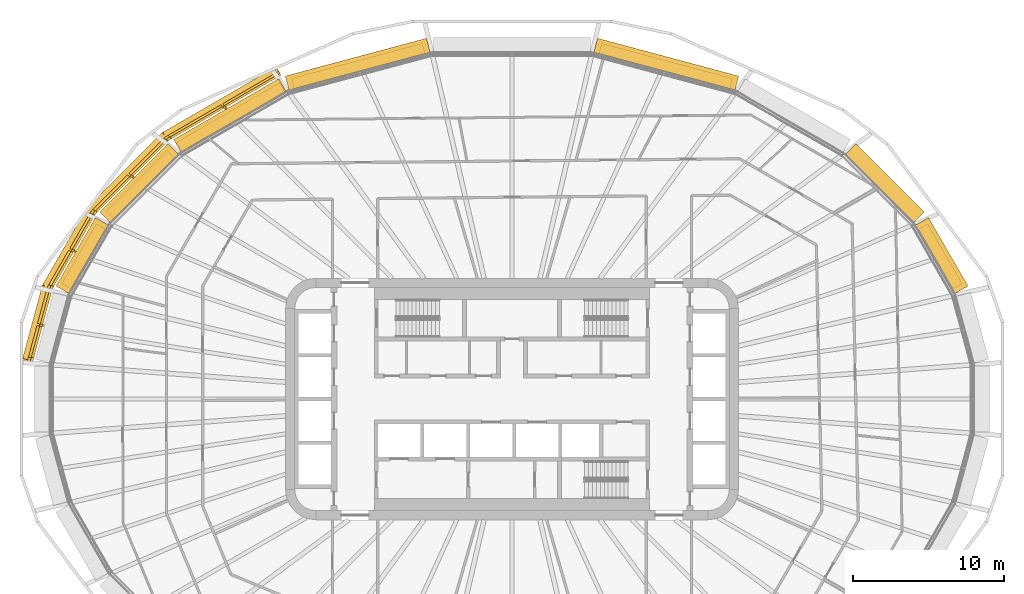
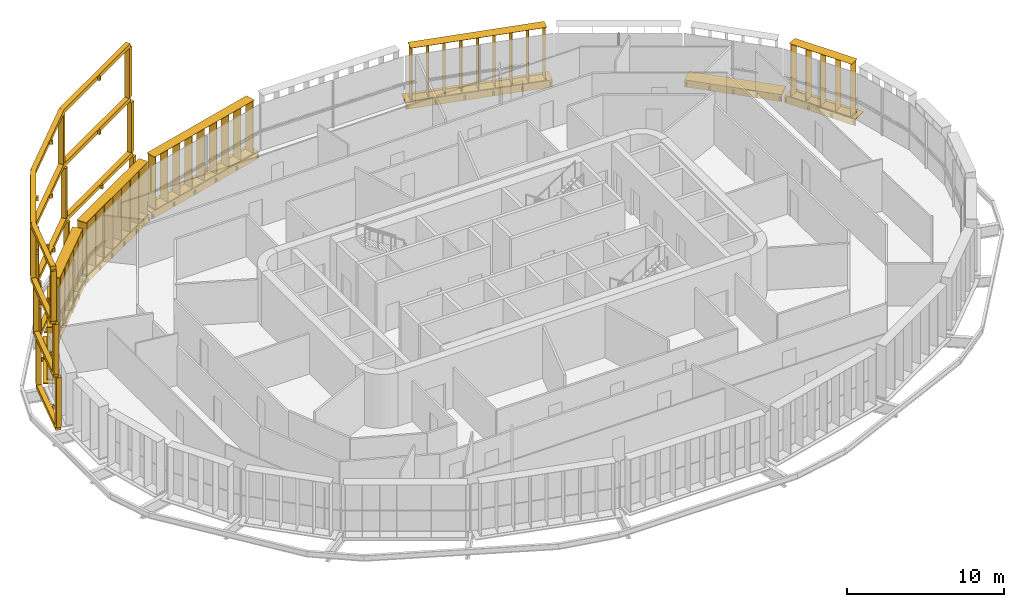
# One storey, part 23 of 24: 14 shading devices.
"""IFC4 building model written with IfcOpenShell, lengths in metres."""

from ifc_helpers import new_model, si_unit, direction, frame, origin, origin_2d, place, context, subcontext, project, spatial, polyline, rectangle, outline, extrude, material, type_object, element, save


model = new_model("IFC4")

# Units and contexts
model_context = context("Model", 3, precision=1e-05, world=origin(), true_north=direction((0.0, 1.0)))
body_context = subcontext(model_context, "Body", "Model", "MODEL_VIEW")
ifc_project = project(units=[si_unit("LENGTHUNIT", "METRE"), si_unit("AREAUNIT", "SQUARE_METRE"), si_unit("VOLUMEUNIT", "CUBIC_METRE"), si_unit("PLANEANGLEUNIT", "RADIAN"), si_unit("MASSUNIT", "GRAM", prefix="KILO")], contexts=[model_context])

# Site, building, storey
site_placement = place(None, origin())
site = spatial("IfcSite", under=ifc_project, at=site_placement, CompositionType="ELEMENT")
building_placement = place(site_placement, origin())
building = spatial("IfcBuilding", under=site, at=building_placement, Name="Sahrelin Media Tower", CompositionType="ELEMENT")
storey_placement = place(building_placement, frame((0.0, 0.0, 58.800048828125)))
storey = spatial("IfcBuildingStorey", under=building, at=storey_placement, Name="L09", CompositionType="ELEMENT", Elevation=58.800048828125)

# Shading devices
ifc_material_1 = material(Name="Dark bronze anodised aluminium 6063-T6", Category="aluminium")
shading_device_type_1 = type_object("IfcShadingDeviceType", Name="Deep frame", PredefinedType="USERDEFINED", material=ifc_material_1)
shading_device_1_placement = place(storey_placement, frame((-14.858642578125, 20.38623046875, 0.0), z_axis=(0.0, 0.0, 1.0), x_axis=(0.866019052629, 0.500011000363, 0.0)))
element("IfcShadingDevice", 1, at=shading_device_1_placement, inside=storey, type_object=shading_device_type_1, Name="L09:FRAME:F1-3", ObjectType="FRAME", PredefinedType="USERDEFINED", context=body_context, shape_type="SweptSolid", body=[
    extrude(rectangle(XDim=0.300048828125, YDim=0.35009765625, at=origin_2d()), frame((0.0, 1.324951171875, 0.14990234375), z_axis=(0.0, 0.0, 1.0), x_axis=(-1.0, 0.0, 0.0)), (0.0, 0.0, 1.0), 3.900146484375),
    extrude(rectangle(XDim=0.300048828125, YDim=0.35009765625, at=origin_2d()), frame((-8.414794921875, 1.313720703125, 0.14990234375), z_axis=(0.0, 0.0, 1.0), x_axis=(-0.991436202368, -0.130591947046, 0.0)), (0.0, 0.0, 1.0), 3.900146484375),
    extrude(rectangle(XDim=0.300048828125, YDim=0.35009765625, at=origin_2d()), frame((-15.12939453125, -0.485595703125, 0.14990234375), z_axis=(0.0, 0.0, 1.0), x_axis=(-0.923876860854, -0.382689882252, 0.0)), (0.0, 0.0, 1.0), 3.900146484375),
    extrude(rectangle(XDim=0.300048828125, YDim=0.35009765625, at=origin_2d()), frame((-20.133544921875, -3.37451171875, 0.14990234375), z_axis=(0.0, 0.0, 1.0), x_axis=(-0.793400087474, -0.608700502051, 0.0)), (0.0, 0.0, 1.0), 3.900146484375),
    extrude(rectangle(XDim=0.300048828125, YDim=0.35009765625, at=origin_2d()), frame((-23.637939453125, -6.863037109375, 0.14990234375), z_axis=(0.0, 0.0, 1.0), x_axis=(-0.707106781187, -0.707106781187, 0.0)), (0.0, 0.0, 1.0), 3.900146484375),
    extrude(outline(polyline([(-21.7529296875, -5.47998046875), (-21.646728515625, -5.373779296875), (-21.77001953125, -5.25048828125), (-20.026123046875, -3.5146484375), (-17.60888671875, -2.119140625), (-17.524658203125, -2.26513671875), (-17.394775390625, -2.190185546875), (-17.47900390625, -2.044189453125), (-15.06201171875, -0.648681640625), (-11.79931640625, 0.2255859375), (-11.755615234375, 0.062744140625), (-11.610595703125, 0.1015625), (-11.654296875, 0.264404296875), (-8.3916015625, 1.138671875), (-4.19580078125, 1.144287109375), (-4.19580078125, 0.969970703125), (-4.0458984375, 0.969970703125), (-4.0458984375, 1.14453125), (0.000244140625, 1.14990234375), (-0.000244140625, 1.5), (-8.4150390625, 1.48876953125), (-8.414794921875, 1.313720703125), (-8.4599609375, 1.482666015625), (-15.1748046875, -0.31640625), (-15.12939453125, -0.485595703125), (-15.216796875, -0.333984375), (-20.220947265625, -3.222900390625), (-20.133544921875, -3.37451171875), (-20.257080078125, -3.25048828125), (-23.761474609375, -6.739013671875), (-23.514404296875, -6.987060546875), (-21.87646484375, -5.3564453125), (-21.7529296875, -5.47998046875)])), frame((0.0, 0.0, -0.14990234375)), (0.0, 0.0, 1.0), 0.2998046875),
    extrude(rectangle(XDim=0.300048828125, YDim=0.35009765625, at=origin_2d()), frame((-0.01171875, 1.46826171875, 4.35009765625), z_axis=(0.0, 0.0, 1.0), x_axis=(-1.0, 0.0, 0.0)), (0.0, 0.0, 1.0), 3.89990234375),
    extrude(rectangle(XDim=0.300048828125, YDim=0.35009765625, at=origin_2d()), frame((-8.472900390625, 1.456787109375, 4.35009765625), z_axis=(0.0, 0.0, 1.0), x_axis=(-0.991447594891, -0.130505427419, 0.0)), (0.0, 0.0, 1.0), 3.89990234375),
    extrude(rectangle(XDim=0.300048828125, YDim=0.35009765625, at=origin_2d()), frame((-15.22412109375, -0.35205078125, 4.35009765625), z_axis=(0.0, 0.0, 1.0), x_axis=(-0.923912256654, -0.382604419741, 0.0)), (0.0, 0.0, 1.0), 3.89990234375),
    extrude(rectangle(XDim=0.300048828125, YDim=0.35009765625, at=origin_2d()), frame((-20.255615234375, -3.257080078125, 4.35009765625), z_axis=(0.0, 0.0, 1.0), x_axis=(-0.793352277801, -0.608762813671, 0.0)), (0.0, 0.0, 1.0), 3.89990234375),
    extrude(rectangle(XDim=0.300048828125, YDim=0.35009765625, at=origin_2d()), frame((-23.780029296875, -6.765380859375, 4.35009765625), z_axis=(0.0, 0.0, 1.0), x_axis=(-0.707106781187, -0.707106781187, 0.0)), (0.0, 0.0, 1.0), 3.89990234375),
    extrude(outline(polyline([(-21.885009765625, -5.372314453125), (-21.779052734375, -5.266357421875), (-21.90234375, -5.14306640625), (-20.1484375, -3.397216796875), (-17.71728515625, -1.99365234375), (-17.633056640625, -2.1396484375), (-17.503173828125, -2.064697265625), (-17.58740234375, -1.918701171875), (-15.156494140625, -0.51513671875), (-11.875732421875, 0.364013671875), (-11.83203125, 0.201171875), (-11.68701171875, 0.239990234375), (-11.730712890625, 0.40283203125), (-8.44970703125, 1.281982421875), (-4.230712890625, 1.28759765625), (-4.230712890625, 1.11328125), (-4.080810546875, 1.11328125), (-4.080810546875, 1.287841796875), (-0.011474609375, 1.293212890625), (-0.011962890625, 1.643310546875), (-8.47314453125, 1.6318359375), (-8.472900390625, 1.456787109375), (-8.518310546875, 1.6259765625), (-15.26953125, -0.18310546875), (-15.22412109375, -0.35205078125), (-15.311767578125, -0.200439453125), (-20.34326171875, -3.10546875), (-20.255615234375, -3.257080078125), (-20.379150390625, -3.133056640625), (-23.903564453125, -6.641357421875), (-23.656494140625, -6.889404296875), (-22.008544921875, -5.248779296875), (-21.885009765625, -5.372314453125)])), frame((0.0, 0.0, 4.050048828125)), (0.0, 0.0, 1.0), 0.300048828125),
    extrude(rectangle(XDim=0.300048828125, YDim=0.35009765625, at=origin_2d()), frame((-0.024658203125, 1.626220703125, 8.550048828125), z_axis=(0.0, 0.0, 1.0), x_axis=(-1.0, 0.0, 0.0)), (0.0, 0.0, 1.0), 3.89990234375),
    extrude(rectangle(XDim=0.300048828125, YDim=0.35009765625, at=origin_2d()), frame((-8.536865234375, 1.61474609375, 8.550048828125), z_axis=(0.0, 0.0, 1.0), x_axis=(-0.991449189241, -0.130493314592, 0.0)), (0.0, 0.0, 1.0), 3.89990234375),
    extrude(rectangle(XDim=0.300048828125, YDim=0.35009765625, at=origin_2d()), frame((-15.32861328125, -0.205078125, 8.550048828125), z_axis=(0.0, 0.0, 1.0), x_axis=(-0.923862165937, -0.382725356294, 0.0)), (0.0, 0.0, 1.0), 3.89990234375),
    extrude(rectangle(XDim=0.300048828125, YDim=0.35009765625, at=origin_2d()), frame((-20.390380859375, -3.12744140625, 8.550048828125), z_axis=(0.0, 0.0, 1.0), x_axis=(-0.793352277801, -0.608762813671, 0.0)), (0.0, 0.0, 1.0), 3.89990234375),
    extrude(rectangle(XDim=0.300048828125, YDim=0.35009765625, at=origin_2d()), frame((-23.936767578125, -6.65771484375, 8.550048828125), z_axis=(0.0, 0.0, 1.0), x_axis=(-0.707106781187, -0.707106781187, 0.0)), (0.0, 0.0, 1.0), 3.89990234375),
    extrude(outline(polyline([(-22.03076171875, -5.25390625), (-21.9248046875, -5.147705078125), (-22.048095703125, -5.0244140625), (-20.283203125, -3.267578125), (-17.8369140625, -1.855224609375), (-17.752685546875, -2.00146484375), (-17.622802734375, -1.926513671875), (-17.70703125, -1.7802734375), (-15.260986328125, -0.3681640625), (-11.9599609375, 0.516357421875), (-11.916259765625, 0.353515625), (-11.771484375, 0.392333984375), (-11.815185546875, 0.555419921875), (-8.513916015625, 1.439697265625), (-4.269287109375, 1.445556640625), (-4.269287109375, 1.271240234375), (-4.119384765625, 1.271240234375), (-4.119384765625, 1.44580078125), (-0.0244140625, 1.451171875), (-0.02490234375, 1.80126953125), (-8.537109375, 1.789794921875), (-8.536865234375, 1.61474609375), (-8.582275390625, 1.78369140625), (-15.3740234375, -0.035888671875), (-15.32861328125, -0.205078125), (-15.416259765625, -0.053466796875), (-20.47802734375, -2.975830078125), (-20.390380859375, -3.12744140625), (-20.513916015625, -3.00341796875), (-24.060302734375, -6.53369140625), (-23.813232421875, -6.78173828125), (-22.154296875, -5.130126953125), (-22.03076171875, -5.25390625)])), frame((0.0, 0.0, 8.25)), (0.0, 0.0, 1.0), 0.300048828125),
    extrude(outline(polyline([(-22.03076171875, -5.25390625), (-21.9248046875, -5.147705078125), (-22.048095703125, -5.0244140625), (-20.283203125, -3.267578125), (-17.8369140625, -1.855224609375), (-17.752685546875, -2.00146484375), (-17.622802734375, -1.926513671875), (-17.70703125, -1.7802734375), (-15.260986328125, -0.3681640625), (-11.9599609375, 0.516357421875), (-11.916259765625, 0.353515625), (-11.771484375, 0.392333984375), (-11.815185546875, 0.555419921875), (-8.513916015625, 1.439697265625), (-4.269287109375, 1.445556640625), (-4.269287109375, 1.271240234375), (-4.119384765625, 1.271240234375), (-4.119384765625, 1.44580078125), (-0.0244140625, 1.451171875), (-0.02490234375, 1.80126953125), (-8.537109375, 1.789794921875), (-8.536865234375, 1.61474609375), (-8.582275390625, 1.78369140625), (-15.3740234375, -0.035888671875), (-15.32861328125, -0.205078125), (-15.416259765625, -0.053466796875), (-20.47802734375, -2.975830078125), (-20.390380859375, -3.12744140625), (-20.513916015625, -3.00341796875), (-24.060302734375, -6.53369140625), (-23.813232421875, -6.78173828125), (-22.154296875, -5.130126953125), (-22.03076171875, -5.25390625)])), frame((0.0, 0.0, 12.449951171875)), (0.0, 0.0, 1.0), 0.300048828125),
])
ifc_material_2 = material(Name="Champagne anodised aluminium 6063-T6", Category="aluminium")
shading_device_type_2 = type_object("IfcShadingDeviceType", Name="Fin cassette", PredefinedType="USERDEFINED", material=ifc_material_2)
placement_1 = place(storey_placement, frame((28.025390625, 9.2421875, 0.0), z_axis=(0.0, 0.0, 1.0), x_axis=(0.500011000363, -0.866019052629, 0.0)))
element("IfcShadingDevice", 2, at=placement_1, inside=storey, type_object=shading_device_type_2, Name="L09:FIN:L09-02", ObjectType="FIN", PredefinedType="USERDEFINED", context=body_context, shape_type="SweptSolid", body=[
    extrude(rectangle(XDim=4.60009765625, YDim=0.699951171875, at=origin_2d()), frame((0.0, 0.419921875, 0.0)), (0.0, 0.0, 1.0), 0.02001953125),
    extrude(rectangle(XDim=4.60009765625, YDim=0.699951171875, at=origin_2d()), frame((0.0, 0.419921875, 4.10009765625)), (0.0, 0.0, 1.0), 0.02001953125),
    extrude(rectangle(XDim=0.02001953125, YDim=0.699951171875, at=origin_2d()), frame((-2.199951171875, 0.419921875, 0.010009765625), z_axis=(0.0, 0.0, 1.0), x_axis=(1.0, 0.0, 0.0)), (0.0, 0.0, 1.0), 4.10009765625),
    extrude(rectangle(XDim=0.02001953125, YDim=0.699951171875, at=origin_2d()), frame((-1.10009765625, 0.419921875, 0.010009765625), z_axis=(0.0, 0.0, 1.0), x_axis=(1.0, 0.0, 0.0)), (0.0, 0.0, 1.0), 4.10009765625),
    extrude(rectangle(XDim=0.02001953125, YDim=0.699951171875, at=origin_2d()), frame((0.0, 0.419921875, 0.010009765625), z_axis=(0.0, 0.0, 1.0), x_axis=(1.0, 0.0, 0.0)), (0.0, 0.0, 1.0), 4.10009765625),
    extrude(rectangle(XDim=0.02001953125, YDim=0.699951171875, at=origin_2d()), frame((1.10009765625, 0.419921875, 0.010009765625), z_axis=(0.0, 0.0, 1.0), x_axis=(1.0, 0.0, 0.0)), (0.0, 0.0, 1.0), 4.10009765625),
    extrude(rectangle(XDim=0.02001953125, YDim=0.699951171875, at=origin_2d()), frame((2.199951171875, 0.419921875, 0.010009765625), z_axis=(0.0, 0.0, 1.0), x_axis=(1.0, 0.0, 0.0)), (0.0, 0.0, 1.0), 4.10009765625),
])
placement_2 = place(storey_placement, frame((10.083984375, 21.665771484375, 0.0), z_axis=(0.0, 0.0, 1.0), x_axis=(0.965928857556, -0.258807731996, 0.0)))
element("IfcShadingDevice", 3, at=placement_2, inside=storey, type_object=shading_device_type_2, Name="L09:FIN:L09-05", ObjectType="FIN", PredefinedType="USERDEFINED", context=body_context, shape_type="SweptSolid", body=[
    extrude(rectangle(XDim=9.0, YDim=0.699951171875, at=origin_2d()), frame((0.0, 0.419921875, 0.0)), (0.0, 0.0, 1.0), 0.02001953125),
    extrude(rectangle(XDim=9.0, YDim=0.699951171875, at=origin_2d()), frame((0.0, 0.419921875, 4.10009765625)), (0.0, 0.0, 1.0), 0.02001953125),
    extrude(rectangle(XDim=0.02001953125, YDim=0.699951171875, at=origin_2d()), frame((-4.39990234375, 0.419921875, 0.010009765625), z_axis=(0.0, 0.0, 1.0), x_axis=(1.0, 0.0, 0.0)), (0.0, 0.0, 1.0), 4.10009765625),
    extrude(rectangle(XDim=0.02001953125, YDim=0.699951171875, at=origin_2d()), frame((-3.300048828125, 0.419921875, 0.010009765625), z_axis=(0.0, 0.0, 1.0), x_axis=(1.0, 0.0, 0.0)), (0.0, 0.0, 1.0), 4.10009765625),
    extrude(rectangle(XDim=0.02001953125, YDim=0.699951171875, at=origin_2d()), frame((-2.199951171875, 0.419921875, 0.010009765625), z_axis=(0.0, 0.0, 1.0), x_axis=(1.0, 0.0, 0.0)), (0.0, 0.0, 1.0), 4.10009765625),
    extrude(rectangle(XDim=0.02001953125, YDim=0.699951171875, at=origin_2d()), frame((-1.10009765625, 0.419921875, 0.010009765625), z_axis=(0.0, 0.0, 1.0), x_axis=(1.0, 0.0, 0.0)), (0.0, 0.0, 1.0), 4.10009765625),
    extrude(rectangle(XDim=0.02001953125, YDim=0.699951171875, at=origin_2d()), frame((0.0, 0.419921875, 0.010009765625), z_axis=(0.0, 0.0, 1.0), x_axis=(1.0, 0.0, 0.0)), (0.0, 0.0, 1.0), 4.10009765625),
    extrude(rectangle(XDim=0.02001953125, YDim=0.699951171875, at=origin_2d()), frame((1.10009765625, 0.419921875, 0.010009765625), z_axis=(0.0, 0.0, 1.0), x_axis=(1.0, 0.0, 0.0)), (0.0, 0.0, 1.0), 4.10009765625),
    extrude(rectangle(XDim=0.02001953125, YDim=0.699951171875, at=origin_2d()), frame((2.199951171875, 0.419921875, 0.010009765625), z_axis=(0.0, 0.0, 1.0), x_axis=(1.0, 0.0, 0.0)), (0.0, 0.0, 1.0), 4.10009765625),
    extrude(rectangle(XDim=0.02001953125, YDim=0.699951171875, at=origin_2d()), frame((3.300048828125, 0.419921875, 0.010009765625), z_axis=(0.0, 0.0, 1.0), x_axis=(1.0, 0.0, 0.0)), (0.0, 0.0, 1.0), 4.10009765625),
    extrude(rectangle(XDim=0.02001953125, YDim=0.699951171875, at=origin_2d()), frame((4.39990234375, 0.419921875, 0.010009765625), z_axis=(0.0, 0.0, 1.0), x_axis=(1.0, 0.0, 0.0)), (0.0, 0.0, 1.0), 4.10009765625),
])
placement_3 = place(storey_placement, frame((-10.083984375, 21.665771484375, 0.0), z_axis=(0.0, 0.0, 1.0), x_axis=(0.965928857556, 0.258807731996, 0.0)))
element("IfcShadingDevice", 4, at=placement_3, inside=storey, type_object=shading_device_type_2, Name="L09:FIN:L09-07", ObjectType="FIN", PredefinedType="USERDEFINED", context=body_context, shape_type="SweptSolid", body=[
    extrude(rectangle(XDim=9.0, YDim=0.699951171875, at=origin_2d()), frame((0.0, 0.419921875, 0.0)), (0.0, 0.0, 1.0), 0.02001953125),
    extrude(rectangle(XDim=9.0, YDim=0.699951171875, at=origin_2d()), frame((0.0, 0.419921875, 4.10009765625)), (0.0, 0.0, 1.0), 0.02001953125),
    extrude(rectangle(XDim=0.02001953125, YDim=0.699951171875, at=origin_2d()), frame((-4.39990234375, 0.419921875, 0.010009765625), z_axis=(0.0, 0.0, 1.0), x_axis=(1.0, 0.0, 0.0)), (0.0, 0.0, 1.0), 4.10009765625),
    extrude(rectangle(XDim=0.02001953125, YDim=0.699951171875, at=origin_2d()), frame((-3.300048828125, 0.419921875, 0.010009765625), z_axis=(0.0, 0.0, 1.0), x_axis=(1.0, 0.0, 0.0)), (0.0, 0.0, 1.0), 4.10009765625),
    extrude(rectangle(XDim=0.02001953125, YDim=0.699951171875, at=origin_2d()), frame((-2.199951171875, 0.419921875, 0.010009765625), z_axis=(0.0, 0.0, 1.0), x_axis=(1.0, 0.0, 0.0)), (0.0, 0.0, 1.0), 4.10009765625),
    extrude(rectangle(XDim=0.02001953125, YDim=0.699951171875, at=origin_2d()), frame((-1.10009765625, 0.419921875, 0.010009765625), z_axis=(0.0, 0.0, 1.0), x_axis=(1.0, 0.0, 0.0)), (0.0, 0.0, 1.0), 4.10009765625),
    extrude(rectangle(XDim=0.02001953125, YDim=0.699951171875, at=origin_2d()), frame((0.0, 0.419921875, 0.010009765625), z_axis=(0.0, 0.0, 1.0), x_axis=(1.0, 0.0, 0.0)), (0.0, 0.0, 1.0), 4.10009765625),
    extrude(rectangle(XDim=0.02001953125, YDim=0.699951171875, at=origin_2d()), frame((1.10009765625, 0.419921875, 0.010009765625), z_axis=(0.0, 0.0, 1.0), x_axis=(1.0, 0.0, 0.0)), (0.0, 0.0, 1.0), 4.10009765625),
    extrude(rectangle(XDim=0.02001953125, YDim=0.699951171875, at=origin_2d()), frame((2.199951171875, 0.419921875, 0.010009765625), z_axis=(0.0, 0.0, 1.0), x_axis=(1.0, 0.0, 0.0)), (0.0, 0.0, 1.0), 4.10009765625),
    extrude(rectangle(XDim=0.02001953125, YDim=0.699951171875, at=origin_2d()), frame((3.300048828125, 0.419921875, 0.010009765625), z_axis=(0.0, 0.0, 1.0), x_axis=(1.0, 0.0, 0.0)), (0.0, 0.0, 1.0), 4.10009765625),
    extrude(rectangle(XDim=0.02001953125, YDim=0.699951171875, at=origin_2d()), frame((4.39990234375, 0.419921875, 0.010009765625), z_axis=(0.0, 0.0, 1.0), x_axis=(1.0, 0.0, 0.0)), (0.0, 0.0, 1.0), 4.10009765625),
])
placement_4 = place(storey_placement, frame((-18.427490234375, 18.32568359375, 0.0), z_axis=(0.0, 0.0, 1.0), x_axis=(0.866019052629, 0.500011000363, 0.0)))
element("IfcShadingDevice", 5, at=placement_4, inside=storey, type_object=shading_device_type_2, Name="L09:FIN:L09-08", ObjectType="FIN", PredefinedType="USERDEFINED", context=body_context, shape_type="SweptSolid", body=[
    extrude(rectangle(XDim=7.89990234375, YDim=0.699951171875, at=origin_2d()), frame((0.0, 0.419921875, 0.0)), (0.0, 0.0, 1.0), 0.02001953125),
    extrude(rectangle(XDim=7.89990234375, YDim=0.699951171875, at=origin_2d()), frame((0.0, 0.419921875, 4.10009765625)), (0.0, 0.0, 1.0), 0.02001953125),
    extrude(rectangle(XDim=0.02001953125, YDim=0.699951171875, at=origin_2d()), frame((-3.85009765625, 0.419921875, 0.010009765625), z_axis=(0.0, 0.0, 1.0), x_axis=(1.0, 0.0, 0.0)), (0.0, 0.0, 1.0), 4.10009765625),
    extrude(rectangle(XDim=0.02001953125, YDim=0.699951171875, at=origin_2d()), frame((-2.75, 0.419921875, 0.010009765625), z_axis=(0.0, 0.0, 1.0), x_axis=(1.0, 0.0, 0.0)), (0.0, 0.0, 1.0), 4.10009765625),
    extrude(rectangle(XDim=0.02001953125, YDim=0.699951171875, at=origin_2d()), frame((-1.64990234375, 0.419921875, 0.010009765625), z_axis=(0.0, 0.0, 1.0), x_axis=(1.0, 0.0, 0.0)), (0.0, 0.0, 1.0), 4.10009765625),
    extrude(rectangle(XDim=0.02001953125, YDim=0.699951171875, at=origin_2d()), frame((-0.550048828125, 0.419921875, 0.010009765625), z_axis=(0.0, 0.0, 1.0), x_axis=(1.0, 0.0, 0.0)), (0.0, 0.0, 1.0), 4.10009765625),
    extrude(rectangle(XDim=0.02001953125, YDim=0.699951171875, at=origin_2d()), frame((0.550048828125, 0.419921875, 0.010009765625), z_axis=(0.0, 0.0, 1.0), x_axis=(1.0, 0.0, 0.0)), (0.0, 0.0, 1.0), 4.10009765625),
    extrude(rectangle(XDim=0.02001953125, YDim=0.699951171875, at=origin_2d()), frame((1.64990234375, 0.419921875, 0.010009765625), z_axis=(0.0, 0.0, 1.0), x_axis=(1.0, 0.0, 0.0)), (0.0, 0.0, 1.0), 4.10009765625),
    extrude(rectangle(XDim=0.02001953125, YDim=0.699951171875, at=origin_2d()), frame((2.75, 0.419921875, 0.010009765625), z_axis=(0.0, 0.0, 1.0), x_axis=(1.0, 0.0, 0.0)), (0.0, 0.0, 1.0), 4.10009765625),
    extrude(rectangle(XDim=0.02001953125, YDim=0.699951171875, at=origin_2d()), frame((3.85009765625, 0.419921875, 0.010009765625), z_axis=(0.0, 0.0, 1.0), x_axis=(1.0, 0.0, 0.0)), (0.0, 0.0, 1.0), 4.10009765625),
])
placement_5 = place(storey_placement, frame((-24.331787109375, 13.929931640625, 0.0), z_axis=(0.0, 0.0, 1.0), x_axis=(0.707106781187, 0.707106781187, 0.0)))
element("IfcShadingDevice", 6, at=placement_5, inside=storey, type_object=shading_device_type_2, Name="L09:FIN:L09-09", ObjectType="FIN", PredefinedType="USERDEFINED", context=body_context, shape_type="SweptSolid", body=[
    extrude(rectangle(XDim=5.699951171875, YDim=0.699951171875, at=origin_2d()), frame((0.0, 0.419921875, 0.0)), (0.0, 0.0, 1.0), 0.02001953125),
    extrude(rectangle(XDim=5.699951171875, YDim=0.699951171875, at=origin_2d()), frame((0.0, 0.419921875, 4.10009765625)), (0.0, 0.0, 1.0), 0.02001953125),
    extrude(rectangle(XDim=0.02001953125, YDim=0.699951171875, at=origin_2d()), frame((-2.75, 0.419921875, 0.010009765625), z_axis=(0.0, 0.0, 1.0), x_axis=(1.0, 0.0, 0.0)), (0.0, 0.0, 1.0), 4.10009765625),
    extrude(rectangle(XDim=0.02001953125, YDim=0.699951171875, at=origin_2d()), frame((-1.64990234375, 0.419921875, 0.010009765625), z_axis=(0.0, 0.0, 1.0), x_axis=(1.0, 0.0, 0.0)), (0.0, 0.0, 1.0), 4.10009765625),
    extrude(rectangle(XDim=0.02001953125, YDim=0.699951171875, at=origin_2d()), frame((-0.550048828125, 0.419921875, 0.010009765625), z_axis=(0.0, 0.0, 1.0), x_axis=(1.0, 0.0, 0.0)), (0.0, 0.0, 1.0), 4.10009765625),
    extrude(rectangle(XDim=0.02001953125, YDim=0.699951171875, at=origin_2d()), frame((0.550048828125, 0.419921875, 0.010009765625), z_axis=(0.0, 0.0, 1.0), x_axis=(1.0, 0.0, 0.0)), (0.0, 0.0, 1.0), 4.10009765625),
    extrude(rectangle(XDim=0.02001953125, YDim=0.699951171875, at=origin_2d()), frame((1.64990234375, 0.419921875, 0.010009765625), z_axis=(0.0, 0.0, 1.0), x_axis=(1.0, 0.0, 0.0)), (0.0, 0.0, 1.0), 4.10009765625),
    extrude(rectangle(XDim=0.02001953125, YDim=0.699951171875, at=origin_2d()), frame((2.75, 0.419921875, 0.010009765625), z_axis=(0.0, 0.0, 1.0), x_axis=(1.0, 0.0, 0.0)), (0.0, 0.0, 1.0), 4.10009765625),
])
placement_6 = place(storey_placement, frame((-28.025390625, 9.2421875, 0.0), z_axis=(0.0, 0.0, 1.0), x_axis=(0.500011000363, 0.866019052629, 0.0)))
element("IfcShadingDevice", 7, at=placement_6, inside=storey, type_object=shading_device_type_2, Name="L09:FIN:L09-10", ObjectType="FIN", PredefinedType="USERDEFINED", context=body_context, shape_type="SweptSolid", body=[
    extrude(rectangle(XDim=4.60009765625, YDim=0.699951171875, at=origin_2d()), frame((0.0, 0.419921875, 0.0)), (0.0, 0.0, 1.0), 0.02001953125),
    extrude(rectangle(XDim=4.60009765625, YDim=0.699951171875, at=origin_2d()), frame((0.0, 0.419921875, 4.10009765625)), (0.0, 0.0, 1.0), 0.02001953125),
    extrude(rectangle(XDim=0.02001953125, YDim=0.699951171875, at=origin_2d()), frame((-2.199951171875, 0.419921875, 0.010009765625), z_axis=(0.0, 0.0, 1.0), x_axis=(1.0, 0.0, 0.0)), (0.0, 0.0, 1.0), 4.10009765625),
    extrude(rectangle(XDim=0.02001953125, YDim=0.699951171875, at=origin_2d()), frame((-1.10009765625, 0.419921875, 0.010009765625), z_axis=(0.0, 0.0, 1.0), x_axis=(1.0, 0.0, 0.0)), (0.0, 0.0, 1.0), 4.10009765625),
    extrude(rectangle(XDim=0.02001953125, YDim=0.699951171875, at=origin_2d()), frame((0.0, 0.419921875, 0.010009765625), z_axis=(0.0, 0.0, 1.0), x_axis=(1.0, 0.0, 0.0)), (0.0, 0.0, 1.0), 4.10009765625),
    extrude(rectangle(XDim=0.02001953125, YDim=0.699951171875, at=origin_2d()), frame((1.10009765625, 0.419921875, 0.010009765625), z_axis=(0.0, 0.0, 1.0), x_axis=(1.0, 0.0, 0.0)), (0.0, 0.0, 1.0), 4.10009765625),
    extrude(rectangle(XDim=0.02001953125, YDim=0.699951171875, at=origin_2d()), frame((2.199951171875, 0.419921875, 0.010009765625), z_axis=(0.0, 0.0, 1.0), x_axis=(1.0, 0.0, 0.0)), (0.0, 0.0, 1.0), 4.10009765625),
])
shading_device_type_3 = type_object("IfcShadingDeviceType", Name="Sunshade band", PredefinedType="USERDEFINED", material=ifc_material_2)
element("IfcShadingDevice", 8, at=placement_1, inside=storey, type_object=shading_device_type_3, Name="L09:SUN:L09-02", ObjectType="SUNSHADE", PredefinedType="USERDEFINED", context=body_context, shape_type="SweptSolid", body=[
    extrude(rectangle(XDim=5.232421875, YDim=0.050048828125, at=origin_2d()), frame((0.0, 0.044921875, -0.55126953125)), (0.0, 0.0, 1.0), 0.471435546875),
    extrude(rectangle(XDim=5.232421875, YDim=1.0, at=origin_2d()), frame((0.0, 0.52001953125, -0.080078125)), (0.0, 0.0, 1.0), 0.080078125),
    extrude(rectangle(XDim=0.10009765625, YDim=0.074951171875, at=origin_2d()), frame((-2.51611328125, -0.017578125, -0.47021484375)), (0.0, 0.0, 1.0), 0.300048828125),
    extrude(rectangle(XDim=0.10009765625, YDim=0.074951171875, at=origin_2d()), frame((-0.838623046875, -0.017578125, -0.47021484375)), (0.0, 0.0, 1.0), 0.300048828125),
    extrude(rectangle(XDim=0.10009765625, YDim=0.074951171875, at=origin_2d()), frame((0.838623046875, -0.017578125, -0.47021484375)), (0.0, 0.0, 1.0), 0.300048828125),
    extrude(rectangle(XDim=0.10009765625, YDim=0.074951171875, at=origin_2d()), frame((2.51611328125, -0.017578125, -0.47021484375)), (0.0, 0.0, 1.0), 0.300048828125),
])
shading_device_9_placement = place(storey_placement, frame((24.331787109375, 13.929931640625, 0.0), z_axis=(0.0, 0.0, 1.0), x_axis=(0.707106781187, -0.707106781187, 0.0)))
element("IfcShadingDevice", 9, at=shading_device_9_placement, inside=storey, type_object=shading_device_type_3, Name="L09:SUN:L09-03", ObjectType="SUNSHADE", PredefinedType="USERDEFINED", context=body_context, shape_type="SweptSolid", body=[
    extrude(rectangle(XDim=6.40576171875, YDim=0.050048828125, at=origin_2d()), frame((0.0, 0.044921875, -0.55126953125)), (0.0, 0.0, 1.0), 0.471435546875),
    extrude(rectangle(XDim=6.40576171875, YDim=1.0, at=origin_2d()), frame((0.0, 0.52001953125, -0.080078125)), (0.0, 0.0, 1.0), 0.080078125),
    extrude(rectangle(XDim=0.10009765625, YDim=0.074951171875, at=origin_2d()), frame((-3.102783203125, -0.017578125, -0.47021484375)), (0.0, 0.0, 1.0), 0.300048828125),
    extrude(rectangle(XDim=0.10009765625, YDim=0.074951171875, at=origin_2d()), frame((-1.551513671875, -0.017578125, -0.47021484375)), (0.0, 0.0, 1.0), 0.300048828125),
    extrude(rectangle(XDim=0.10009765625, YDim=0.074951171875, at=origin_2d()), frame((0.0, -0.017578125, -0.47021484375)), (0.0, 0.0, 1.0), 0.300048828125),
    extrude(rectangle(XDim=0.10009765625, YDim=0.074951171875, at=origin_2d()), frame((1.551513671875, -0.017578125, -0.47021484375)), (0.0, 0.0, 1.0), 0.300048828125),
    extrude(rectangle(XDim=0.10009765625, YDim=0.074951171875, at=origin_2d()), frame((3.102783203125, -0.017578125, -0.47021484375)), (0.0, 0.0, 1.0), 0.300048828125),
])
element("IfcShadingDevice", 10, at=placement_2, inside=storey, type_object=shading_device_type_3, Name="L09:SUN:L09-05", ObjectType="SUNSHADE", PredefinedType="USERDEFINED", context=body_context, shape_type="SweptSolid", body=[
    extrude(rectangle(XDim=9.686279296875, YDim=0.050048828125, at=origin_2d()), frame((0.0, 0.044921875, -0.55126953125)), (0.0, 0.0, 1.0), 0.471435546875),
    extrude(rectangle(XDim=9.686279296875, YDim=1.0, at=origin_2d()), frame((0.0, 0.52001953125, -0.080078125)), (0.0, 0.0, 1.0), 0.080078125),
    extrude(rectangle(XDim=0.10009765625, YDim=0.074951171875, at=origin_2d()), frame((-4.7431640625, -0.017578125, -0.47021484375)), (0.0, 0.0, 1.0), 0.300048828125),
    extrude(rectangle(XDim=0.10009765625, YDim=0.074951171875, at=origin_2d()), frame((-2.845947265625, -0.017578125, -0.47021484375)), (0.0, 0.0, 1.0), 0.300048828125),
    extrude(rectangle(XDim=0.10009765625, YDim=0.074951171875, at=origin_2d()), frame((-0.948486328125, -0.017578125, -0.47021484375)), (0.0, 0.0, 1.0), 0.300048828125),
    extrude(rectangle(XDim=0.10009765625, YDim=0.074951171875, at=origin_2d()), frame((0.948486328125, -0.017578125, -0.47021484375)), (0.0, 0.0, 1.0), 0.300048828125),
    extrude(rectangle(XDim=0.10009765625, YDim=0.074951171875, at=origin_2d()), frame((2.845947265625, -0.017578125, -0.47021484375)), (0.0, 0.0, 1.0), 0.300048828125),
    extrude(rectangle(XDim=0.10009765625, YDim=0.074951171875, at=origin_2d()), frame((4.7431640625, -0.017578125, -0.47021484375)), (0.0, 0.0, 1.0), 0.300048828125),
])
element("IfcShadingDevice", 11, at=placement_3, inside=storey, type_object=shading_device_type_3, Name="L09:SUN:L09-07", ObjectType="SUNSHADE", PredefinedType="USERDEFINED", context=body_context, shape_type="SweptSolid", body=[
    extrude(rectangle(XDim=9.686279296875, YDim=0.050048828125, at=origin_2d()), frame((0.0, 0.044921875, -0.55126953125)), (0.0, 0.0, 1.0), 0.471435546875),
    extrude(rectangle(XDim=9.686279296875, YDim=1.0, at=origin_2d()), frame((0.0, 0.52001953125, -0.080078125)), (0.0, 0.0, 1.0), 0.080078125),
    extrude(rectangle(XDim=0.10009765625, YDim=0.074951171875, at=origin_2d()), frame((-4.7431640625, -0.017578125, -0.47021484375)), (0.0, 0.0, 1.0), 0.300048828125),
    extrude(rectangle(XDim=0.10009765625, YDim=0.074951171875, at=origin_2d()), frame((-2.845947265625, -0.017578125, -0.47021484375)), (0.0, 0.0, 1.0), 0.300048828125),
    extrude(rectangle(XDim=0.10009765625, YDim=0.074951171875, at=origin_2d()), frame((-0.948486328125, -0.017578125, -0.47021484375)), (0.0, 0.0, 1.0), 0.300048828125),
    extrude(rectangle(XDim=0.10009765625, YDim=0.074951171875, at=origin_2d()), frame((0.948486328125, -0.017578125, -0.47021484375)), (0.0, 0.0, 1.0), 0.300048828125),
    extrude(rectangle(XDim=0.10009765625, YDim=0.074951171875, at=origin_2d()), frame((2.845947265625, -0.017578125, -0.47021484375)), (0.0, 0.0, 1.0), 0.300048828125),
    extrude(rectangle(XDim=0.10009765625, YDim=0.074951171875, at=origin_2d()), frame((4.7431640625, -0.017578125, -0.47021484375)), (0.0, 0.0, 1.0), 0.300048828125),
])
element("IfcShadingDevice", 12, at=placement_4, inside=storey, type_object=shading_device_type_3, Name="L09:SUN:L09-08", ObjectType="SUNSHADE", PredefinedType="USERDEFINED", context=body_context, shape_type="SweptSolid", body=[
    extrude(rectangle(XDim=8.041748046875, YDim=0.050048828125, at=origin_2d()), frame((0.0, 0.044921875, -0.55126953125)), (0.0, 0.0, 1.0), 0.471435546875),
    extrude(rectangle(XDim=8.041748046875, YDim=1.0, at=origin_2d()), frame((0.0, 0.52001953125, -0.080078125)), (0.0, 0.0, 1.0), 0.080078125),
    extrude(rectangle(XDim=0.10009765625, YDim=0.074951171875, at=origin_2d()), frame((-3.9208984375, -0.017578125, -0.47021484375)), (0.0, 0.0, 1.0), 0.300048828125),
    extrude(rectangle(XDim=0.10009765625, YDim=0.074951171875, at=origin_2d()), frame((-2.3525390625, -0.017578125, -0.47021484375)), (0.0, 0.0, 1.0), 0.300048828125),
    extrude(rectangle(XDim=0.10009765625, YDim=0.074951171875, at=origin_2d()), frame((-0.7841796875, -0.017578125, -0.47021484375)), (0.0, 0.0, 1.0), 0.300048828125),
    extrude(rectangle(XDim=0.10009765625, YDim=0.074951171875, at=origin_2d()), frame((0.7841796875, -0.017578125, -0.47021484375)), (0.0, 0.0, 1.0), 0.300048828125),
    extrude(rectangle(XDim=0.10009765625, YDim=0.074951171875, at=origin_2d()), frame((2.3525390625, -0.017578125, -0.47021484375)), (0.0, 0.0, 1.0), 0.300048828125),
    extrude(rectangle(XDim=0.10009765625, YDim=0.074951171875, at=origin_2d()), frame((3.9208984375, -0.017578125, -0.47021484375)), (0.0, 0.0, 1.0), 0.300048828125),
])
element("IfcShadingDevice", 13, at=placement_5, inside=storey, type_object=shading_device_type_3, Name="L09:SUN:L09-09", ObjectType="SUNSHADE", PredefinedType="USERDEFINED", context=body_context, shape_type="SweptSolid", body=[
    extrude(rectangle(XDim=6.40576171875, YDim=0.050048828125, at=origin_2d()), frame((0.0, 0.044921875, -0.55126953125)), (0.0, 0.0, 1.0), 0.471435546875),
    extrude(rectangle(XDim=6.40576171875, YDim=1.0, at=origin_2d()), frame((0.0, 0.52001953125, -0.080078125)), (0.0, 0.0, 1.0), 0.080078125),
    extrude(rectangle(XDim=0.10009765625, YDim=0.074951171875, at=origin_2d()), frame((-3.102783203125, -0.017578125, -0.47021484375)), (0.0, 0.0, 1.0), 0.300048828125),
    extrude(rectangle(XDim=0.10009765625, YDim=0.074951171875, at=origin_2d()), frame((-1.551513671875, -0.017578125, -0.47021484375)), (0.0, 0.0, 1.0), 0.300048828125),
    extrude(rectangle(XDim=0.10009765625, YDim=0.074951171875, at=origin_2d()), frame((0.0, -0.017578125, -0.47021484375)), (0.0, 0.0, 1.0), 0.300048828125),
    extrude(rectangle(XDim=0.10009765625, YDim=0.074951171875, at=origin_2d()), frame((1.551513671875, -0.017578125, -0.47021484375)), (0.0, 0.0, 1.0), 0.300048828125),
    extrude(rectangle(XDim=0.10009765625, YDim=0.074951171875, at=origin_2d()), frame((3.102783203125, -0.017578125, -0.47021484375)), (0.0, 0.0, 1.0), 0.300048828125),
])
element("IfcShadingDevice", 14, at=placement_6, inside=storey, type_object=shading_device_type_3, Name="L09:SUN:L09-10", ObjectType="SUNSHADE", PredefinedType="USERDEFINED", context=body_context, shape_type="SweptSolid", body=[
    extrude(rectangle(XDim=5.232421875, YDim=0.050048828125, at=origin_2d()), frame((0.0, 0.044921875, -0.55126953125)), (0.0, 0.0, 1.0), 0.471435546875),
    extrude(rectangle(XDim=5.232421875, YDim=1.0, at=origin_2d()), frame((0.0, 0.52001953125, -0.080078125)), (0.0, 0.0, 1.0), 0.080078125),
    extrude(rectangle(XDim=0.10009765625, YDim=0.074951171875, at=origin_2d()), frame((-2.51611328125, -0.017578125, -0.47021484375)), (0.0, 0.0, 1.0), 0.300048828125),
    extrude(rectangle(XDim=0.10009765625, YDim=0.074951171875, at=origin_2d()), frame((-0.838623046875, -0.017578125, -0.47021484375)), (0.0, 0.0, 1.0), 0.300048828125),
    extrude(rectangle(XDim=0.10009765625, YDim=0.074951171875, at=origin_2d()), frame((0.838623046875, -0.017578125, -0.47021484375)), (0.0, 0.0, 1.0), 0.300048828125),
    extrude(rectangle(XDim=0.10009765625, YDim=0.074951171875, at=origin_2d()), frame((2.51611328125, -0.017578125, -0.47021484375)), (0.0, 0.0, 1.0), 0.300048828125),
])

save(model, "model.ifc")
